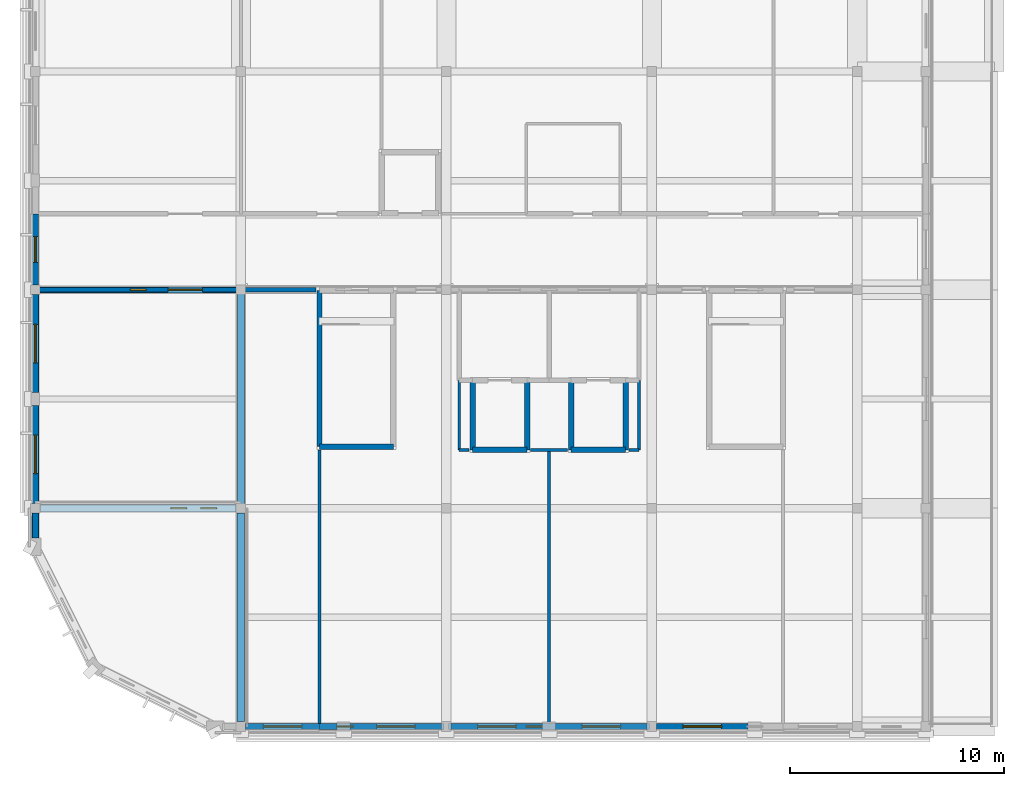
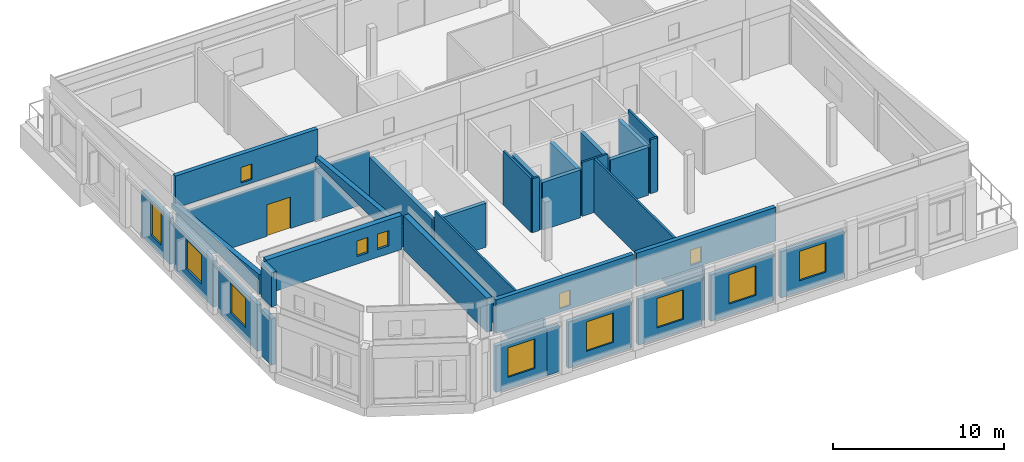
# One storey, part 3 of 8: 34 walls, 13 windows, 1 door, 14 openings.
"""IFC4 building model written with IfcOpenShell, lengths in metres."""

import ifcopenshell
import ifcopenshell.guid

model = None  # the IFC model being written
_history = None  # IfcOwnerHistory: only IFC2X3 demands one
_inside = {}  # id of a spatial element -> (the spatial element, [elements in it])
_under = {}  # id of a project, library or spatial element -> (it, [spatial elements below it])
_declared = {}  # id of a project -> (the project, [libraries it declares])
_typed = {}  # id of a type object -> (the type object, [elements of that type])
_made_of = {}  # id of a material, layer set ... -> (it, [elements and type objects made of it])


def new_model(schema):
    """Start an empty IFC model of exactly this schema.

    Asked for "IFC4X3", IfcOpenShell would pick the latest addendum, in which some entities
    have other attributes; the version numbers below select the first issue.
    IFC2X3 requires an IfcOwnerHistory on every rooted entity: one is made here for all.
    """
    global model, _history
    if schema == "IFC4X3":
        model = ifcopenshell.file(schema_version=(4, 3, 0, 0))
    else:
        model = ifcopenshell.file(schema=schema)
    _inside.clear()
    _under.clear()
    _declared.clear()
    _typed.clear()
    _made_of.clear()
    _history = None
    if model.schema == "IFC2X3":
        org = make("IfcOrganization", Name="unknown")
        user = make(
            "IfcPersonAndOrganization",
            ThePerson=make("IfcPerson", FamilyName="unknown"),
            TheOrganization=org,
        )
        app = make(
            "IfcApplication",
            ApplicationDeveloper=org,
            Version="unknown",
            ApplicationFullName="unknown",
            ApplicationIdentifier="unknown",
        )
        _history = make(
            "IfcOwnerHistory",
            OwningUser=user,
            OwningApplication=app,
            ChangeAction="ADDED",
            CreationDate=0,
        )
    return model


def make(cls, **values):
    """One entity of the class cls with the attributes given. An attribute that is None is left unset."""
    return model.create_entity(
        cls, **{name: value for name, value in values.items() if value is not None}
    )


def rooted(cls, **values):
    """An entity with a GlobalId (a new one), such as an element, a storey or a relation."""
    return make(cls, GlobalId=ifcopenshell.guid.new(), OwnerHistory=_history, **values)


def si_unit(unit_type, name, prefix=None):
    """IfcSIUnit, for example si_unit("LENGTHUNIT", "METRE", prefix="MILLI")."""
    return make("IfcSIUnit", UnitType=unit_type, Prefix=prefix, Name=name)


def assignment(units):
    """IfcUnitAssignment: the units of a project."""
    return None if units is None else make("IfcUnitAssignment", Units=units)


def point(xyz):
    """IfcCartesianPoint."""
    return None if xyz is None else make("IfcCartesianPoint", Coordinates=xyz)


def direction(xyz):
    """IfcDirection."""
    return None if xyz is None else make("IfcDirection", DirectionRatios=xyz)


def frame(location, z_axis=None, x_axis=None):
    """IfcAxis2Placement3D, a coordinate frame: its origin and axes. An axis left out is left unset."""
    return make(
        "IfcAxis2Placement3D",
        Location=point(location),
        Axis=direction(z_axis),
        RefDirection=direction(x_axis),
    )


def frame_2d(location, x_axis=None):
    """IfcAxis2Placement2D, a coordinate frame in the plane: its origin and x axis."""
    return make(
        "IfcAxis2Placement2D", Location=point(location), RefDirection=direction(x_axis)
    )


def origin():
    """The frame at (0, 0, 0) with its axes left unset."""
    return frame((0.0, 0.0, 0.0))


def place(relative_to, where):
    """IfcLocalPlacement: puts the frame where relative to a parent placement (None: the world)."""
    return make(
        "IfcLocalPlacement", PlacementRelTo=relative_to, RelativePlacement=where
    )


def context(
    kind, dimensions, precision=None, world=None, true_north=None, identifier=None
):
    """IfcGeometricRepresentationContext, for example the 3D "Model" context."""
    return make(
        "IfcGeometricRepresentationContext",
        ContextIdentifier=identifier,
        ContextType=kind,
        CoordinateSpaceDimension=dimensions,
        Precision=precision,
        WorldCoordinateSystem=world,
        TrueNorth=true_north,
    )


def subcontext(parent, identifier, kind, view, scale=None):
    """IfcGeometricRepresentationSubContext, for example "Body" below "Model"."""
    return make(
        "IfcGeometricRepresentationSubContext",
        ContextIdentifier=identifier,
        ContextType=kind,
        ParentContext=parent,
        TargetScale=scale,
        TargetView=view,
    )


def project(units=None, contexts=None):
    """IfcProject with its units and contexts."""
    return rooted(
        "IfcProject",
        Name="project",
        RepresentationContexts=contexts,
        UnitsInContext=assignment(units),
    )


def spatial(cls, under=None, at=None, **own):
    """A site, building, storey or space (cls), placed at a placement, below another one or the project."""
    s = rooted(cls, ObjectPlacement=at, **own)
    if under is not None:
        _under.setdefault(under.id(), (under, []))[1].append(s)
    return s


def polyline(points):
    """IfcPolyline through the points."""
    return make("IfcPolyline", Points=[point(p) for p in points])


def profile(cls, at=None, kind="AREA", **sizes):
    """A parametric profile (cls). Its sizes go by their IFC names, for example OverallWidth=200.0."""
    return make(cls, ProfileType=kind, Position=at, **sizes)


def rectangle(**sizes):
    """IfcRectangleProfileDef."""
    return profile("IfcRectangleProfileDef", **sizes)


def outline(outer, holes=None, kind="AREA"):
    """IfcArbitraryClosedProfileDef: a profile drawn as a closed curve; with holes, ...WithVoids."""
    if holes is None:
        return make("IfcArbitraryClosedProfileDef", ProfileType=kind, OuterCurve=outer)
    return make(
        "IfcArbitraryProfileDefWithVoids",
        ProfileType=kind,
        OuterCurve=outer,
        InnerCurves=holes,
    )


def extrude(swept, where, along, depth):
    """IfcExtrudedAreaSolid: the profile swept, set in the frame where, extruded along a direction by depth."""
    return make(
        "IfcExtrudedAreaSolid",
        SweptArea=swept,
        Position=where,
        ExtrudedDirection=direction(along),
        Depth=depth,
    )


def shape(context_of_items, identifier, shape_type, items):
    """IfcShapeRepresentation: the items that make up one representation, for example the "Body"."""
    return make(
        "IfcShapeRepresentation",
        ContextOfItems=context_of_items,
        RepresentationIdentifier=identifier,
        RepresentationType=shape_type,
        Items=items,
    )


def material(Name=None, Category=None):
    """IfcMaterial."""
    return make("IfcMaterial", Name=Name, Category=Category)


def layer(
    of_material, thickness, ventilated=None, Name=None, Category=None, Priority=None
):
    """IfcMaterialLayer: one layer of a wall or slab, of a material (None: an air gap)."""
    return make(
        "IfcMaterialLayer",
        Material=of_material,
        LayerThickness=thickness,
        IsVentilated=ventilated,
        Name=Name,
        Category=Category,
        Priority=Priority,
    )


def layer_set(layers, Name=None):
    """IfcMaterialLayerSet."""
    return make("IfcMaterialLayerSet", MaterialLayers=layers, LayerSetName=Name)


def made_of(thing, what):
    """Note that an element or type object is made of a material, layer set ...; save() writes the relation."""
    if what is not None:
        _made_of.setdefault(what.id(), (what, []))[1].append(thing)
    return thing


def type_object(cls, material=None, **own):
    """A type object (cls), such as IfcWallType, which elements share."""
    return made_of(rooted(cls, **own), material)


def element(
    cls,
    number,
    at=None,
    inside=None,
    cuts=None,
    type_object=None,
    material=None,
    context=None,
    identifier="Body",
    shape_type=None,
    held_by="IfcProductDefinitionShape",
    body=None,
    shapes=None,
    **own,
):
    """One element of the class cls, such as IfcWall. Its Tag is "e" and its number.

    at: its placement. inside: the storey or other place that contains it. cuts: it is an
    opening in that element (IfcRelVoidsElement). A single representation is given by context,
    identifier, shape_type and body (its items); several are given by shapes. held_by: the class
    of the entity that holds the representations. save() writes the other relations.
    """
    e = rooted(cls, Tag="e%d" % number, ObjectPlacement=at, **own)
    if body is not None:
        shapes = [shape(context, identifier, shape_type, body)]
    if shapes is not None:
        e.Representation = make(held_by, Representations=shapes)
    if inside is not None:
        _inside.setdefault(inside.id(), (inside, []))[1].append(e)
    if cuts is not None:
        rooted(
            "IfcRelVoidsElement", RelatingBuildingElement=cuts, RelatedOpeningElement=e
        )
    if type_object is not None:
        _typed.setdefault(type_object.id(), (type_object, []))[1].append(e)
    return made_of(e, material)


def fill(opening, filler):
    """IfcRelFillsElement: the door or window that sits in an opening."""
    return rooted(
        "IfcRelFillsElement",
        RelatingOpeningElement=opening,
        RelatedBuildingElement=filler,
    )


def aggregate(whole, parts):
    """IfcRelAggregates: a whole, such as a stair, and the parts it consists of."""
    return rooted("IfcRelAggregates", RelatingObject=whole, RelatedObjects=parts)


def save(model, path):
    """Write the relations noted so far, then the file.

    IfcRelAggregates (storeys below a building ...), IfcRelContainedInSpatialStructure (elements
    in a storey), IfcRelDefinesByType, IfcRelAssociatesMaterial and IfcRelDeclares: one each for
    every whole, place, type object, material and project.
    """
    for whole, parts in _under.values():
        aggregate(whole, parts)
    for where, things in _inside.values():
        rooted(
            "IfcRelContainedInSpatialStructure",
            RelatedElements=things,
            RelatingStructure=where,
        )
    for kind, things in _typed.values():
        rooted("IfcRelDefinesByType", RelatedObjects=things, RelatingType=kind)
    for what, things in _made_of.values():
        rooted("IfcRelAssociatesMaterial", RelatedObjects=things, RelatingMaterial=what)
    for by, libraries in _declared.values():
        rooted("IfcRelDeclares", RelatingContext=by, RelatedDefinitions=libraries)
    model.write(path)


model = new_model("IFC4")

# Units and contexts
model_context = context("Model", 3, precision=1e-05, world=origin(), true_north=direction((0.0, 1.0)))
body_context = subcontext(model_context, "Body", "Model", "MODEL_VIEW")
ifc_project = project(units=[si_unit("LENGTHUNIT", "METRE"), si_unit("AREAUNIT", "SQUARE_METRE"), si_unit("VOLUMEUNIT", "CUBIC_METRE"), si_unit("PLANEANGLEUNIT", "RADIAN"), si_unit("MASSUNIT", "GRAM", prefix="KILO")], contexts=[model_context])

# Site, building, storey
site_placement = place(None, origin())
site = spatial("IfcSite", under=ifc_project, at=site_placement, CompositionType="ELEMENT")
building_placement = place(site_placement, origin())
building = spatial("IfcBuilding", under=site, at=building_placement, Name="Vondelvale Polytechnic", CompositionType="ELEMENT")
storey_placement = place(building_placement, frame((0.0, 0.0, 30.60009765625)))
storey = spatial("IfcBuildingStorey", under=building, at=storey_placement, Name="L07", CompositionType="ELEMENT", Elevation=30.60009765625)

# Wall, opening, window
ifc_material_1 = material(Name="Amsterdam School iron-spot clinker clay brickwork", Category="masonry")
ifc_layer_1 = layer(ifc_material_1, 0.280029296875)
ifc_layer_set_1 = layer_set([ifc_layer_1], Name="WL-BRICK-280")
wall_type_1 = type_object("IfcWallType", Name="WL-BRICK-280", PredefinedType="SOLIDWALL", material=ifc_layer_set_1)
wall_1_placement = place(storey_placement, frame((13.27490234375, 0.0, 0.0), z_axis=(0.0, 0.0, 1.0), x_axis=(-1.0, 0.0, 0.0)))
wall_1 = element("IfcWall", 1, at=wall_1_placement, inside=storey, type_object=wall_type_1, Name="L07 exterior masonry facade wall", PredefinedType="SOLIDWALL", context=body_context, shape_type="SweptSolid", body=[
    extrude(rectangle(XDim=3.448974609375, YDim=0.280029296875, at=frame_2d((1.724609375, 0.0))), origin(), (0.0, 0.0, 1.0), 3.2998046875),
])
opening_1_placement = place(wall_1_placement, frame((0.824462890625, 0.0, 0.800048828125)))
opening_1 = element("IfcOpeningElement", 2, at=opening_1_placement, cuts=wall_1, Name="Opening WN-0294", PredefinedType="OPENING", context=body_context, shape_type="SweptSolid", body=[
    extrude(rectangle(XDim=1.800048828125, YDim=2.10009765625, at=frame_2d((0.89990234375, 1.050048828125))), frame((0.0, 0.14990234375, 0.0), z_axis=(0.0, -1.0, 0.0), x_axis=(1.0, 0.0, 0.0)), (0.0, 0.0, 1.0), 0.300048828125),
])
ifc_material_2 = material(Name="Double-glazed low-E insulated architectural glass", Category="glass")
window_type_1 = type_object("IfcWindowType", Name="WN-LAB-1800x2100", PartitioningType="SINGLE_PANEL", PredefinedType="WINDOW", material=ifc_material_2)
window_1_placement = place(opening_1_placement, origin())
window_1 = element("IfcWindow", 3, at=window_1_placement, inside=storey, type_object=window_type_1, Name="L07 double-glazed architectural window WN-0294", OverallHeight=2.10009765625, OverallWidth=1.800048828125, PartitioningType="SINGLE_PANEL", PredefinedType="WINDOW", context=body_context, shape_type="SweptSolid", body=[
    extrude(rectangle(XDim=1.800048828125, YDim=2.10009765625, at=frame_2d((0.89990234375, 1.050048828125))), frame((0.0, 0.030029296875, 0.0), z_axis=(0.0, -1.0, 0.0), x_axis=(1.0, 0.0, 0.0)), (0.0, 0.0, 1.0), 0.06005859375),
])
fill(opening_1, window_1)

# Wall
wall_2_placement = place(storey_placement, frame((14.09912109375, 0.0, 0.0), z_axis=(0.0, 0.0, 1.0), x_axis=(-1.0, 0.0, 0.0)))
element("IfcWall", 4, at=wall_2_placement, inside=storey, type_object=wall_type_1, Name="L07 exterior masonry facade wall", PredefinedType="SOLIDWALL", context=body_context, shape_type="SweptSolid", body=[
    extrude(rectangle(XDim=0.82421875, YDim=0.280029296875, at=frame_2d((0.412109375, 0.0))), origin(), (0.0, 0.0, 1.0), 3.2998046875),
])

# Wall, opening, window
wall_3_placement = place(storey_placement, frame((18.97412109375, 0.0, 0.0), z_axis=(0.0, 0.0, 1.0), x_axis=(-1.0, 0.0, 0.0)))
wall_3 = element("IfcWall", 5, at=wall_3_placement, inside=storey, type_object=wall_type_1, Name="L07 exterior masonry facade wall", PredefinedType="SOLIDWALL", context=body_context, shape_type="SweptSolid", body=[
    extrude(rectangle(XDim=4.273193359375, YDim=0.280029296875, at=frame_2d((2.13671875, 0.0))), origin(), (0.0, 0.0, 1.0), 3.2998046875),
])
opening_2_placement = place(wall_3_placement, frame((1.236572265625, 0.0, 0.800048828125)))
opening_2 = element("IfcOpeningElement", 6, at=opening_2_placement, cuts=wall_3, Name="Opening WN-0295", PredefinedType="OPENING", context=body_context, shape_type="SweptSolid", body=[
    extrude(rectangle(XDim=1.800048828125, YDim=2.10009765625, at=frame_2d((0.89990234375, 1.050048828125))), frame((0.0, 0.14990234375, 0.0), z_axis=(0.0, -1.0, 0.0), x_axis=(1.0, 0.0, 0.0)), (0.0, 0.0, 1.0), 0.300048828125),
])
window_2_placement = place(opening_2_placement, origin())
window_2 = element("IfcWindow", 7, at=window_2_placement, inside=storey, type_object=window_type_1, Name="L07 double-glazed architectural window WN-0295", OverallHeight=2.10009765625, OverallWidth=1.800048828125, PartitioningType="SINGLE_PANEL", PredefinedType="WINDOW", context=body_context, shape_type="SweptSolid", body=[
    extrude(rectangle(XDim=1.800048828125, YDim=2.10009765625, at=frame_2d((0.89990234375, 1.050048828125))), frame((0.0, 0.030029296875, 0.0), z_axis=(0.0, -1.0, 0.0), x_axis=(1.0, 0.0, 0.0)), (0.0, 0.0, 1.0), 0.06005859375),
])
fill(opening_2, window_2)

wall_4_placement = place(storey_placement, frame((23.698974609375, 0.0, 0.0), z_axis=(0.0, 0.0, 1.0), x_axis=(-1.0, 0.0, 0.0)))
wall_4 = element("IfcWall", 8, at=wall_4_placement, inside=storey, type_object=wall_type_1, Name="L07 exterior masonry facade wall", PredefinedType="SOLIDWALL", context=body_context, shape_type="SweptSolid", body=[
    extrude(rectangle(XDim=4.27294921875, YDim=0.280029296875, at=frame_2d((2.136474609375, 0.0))), origin(), (0.0, 0.0, 1.0), 3.2998046875),
])
opening_3_placement = place(wall_4_placement, frame((1.236572265625, 0.0, 0.800048828125)))
opening_3 = element("IfcOpeningElement", 9, at=opening_3_placement, cuts=wall_4, Name="Opening WN-0296", PredefinedType="OPENING", context=body_context, shape_type="SweptSolid", body=[
    extrude(rectangle(XDim=1.800048828125, YDim=2.10009765625, at=frame_2d((0.89990234375, 1.050048828125))), frame((0.0, 0.14990234375, 0.0), z_axis=(0.0, -1.0, 0.0), x_axis=(1.0, 0.0, 0.0)), (0.0, 0.0, 1.0), 0.300048828125),
])
window_3_placement = place(opening_3_placement, origin())
window_3 = element("IfcWindow", 10, at=window_3_placement, inside=storey, type_object=window_type_1, Name="L07 double-glazed architectural window WN-0296", OverallHeight=2.10009765625, OverallWidth=1.800048828125, PartitioningType="SINGLE_PANEL", PredefinedType="WINDOW", context=body_context, shape_type="SweptSolid", body=[
    extrude(rectangle(XDim=1.800048828125, YDim=2.10009765625, at=frame_2d((0.89990234375, 1.050048828125))), frame((0.0, 0.030029296875, 0.0), z_axis=(0.0, -1.0, 0.0), x_axis=(1.0, 0.0, 0.0)), (0.0, 0.0, 1.0), 0.06005859375),
])
fill(opening_3, window_3)

wall_5_placement = place(storey_placement, frame((28.573974609375, 0.0, 0.0), z_axis=(0.0, 0.0, 1.0), x_axis=(-1.0, 0.0, 0.0)))
wall_5 = element("IfcWall", 11, at=wall_5_placement, inside=storey, type_object=wall_type_1, Name="L07 exterior masonry facade wall", PredefinedType="SOLIDWALL", context=body_context, shape_type="SweptSolid", body=[
    extrude(rectangle(XDim=4.27294921875, YDim=0.280029296875, at=frame_2d((2.136474609375, 0.0))), origin(), (0.0, 0.0, 1.0), 3.2998046875),
])
opening_4_placement = place(wall_5_placement, frame((1.236572265625, 0.0, 0.800048828125)))
opening_4 = element("IfcOpeningElement", 12, at=opening_4_placement, cuts=wall_5, Name="Opening WN-0297", PredefinedType="OPENING", context=body_context, shape_type="SweptSolid", body=[
    extrude(rectangle(XDim=1.800048828125, YDim=2.10009765625, at=frame_2d((0.89990234375, 1.050048828125))), frame((0.0, 0.14990234375, 0.0), z_axis=(0.0, -1.0, 0.0), x_axis=(1.0, 0.0, 0.0)), (0.0, 0.0, 1.0), 0.300048828125),
])
window_4_placement = place(opening_4_placement, origin())
window_4 = element("IfcWindow", 13, at=window_4_placement, inside=storey, type_object=window_type_1, Name="L07 double-glazed architectural window WN-0297", OverallHeight=2.10009765625, OverallWidth=1.800048828125, PartitioningType="SINGLE_PANEL", PredefinedType="WINDOW", context=body_context, shape_type="SweptSolid", body=[
    extrude(rectangle(XDim=1.800048828125, YDim=2.10009765625, at=frame_2d((0.89990234375, 1.050048828125))), frame((0.0, 0.030029296875, 0.0), z_axis=(0.0, -1.0, 0.0), x_axis=(1.0, 0.0, 0.0)), (0.0, 0.0, 1.0), 0.06005859375),
])
fill(opening_4, window_4)

wall_6_placement = place(storey_placement, frame((33.299072265625, 0.0, 0.0), z_axis=(0.0, 0.0, 1.0), x_axis=(-1.0, 0.0, 0.0)))
wall_6 = element("IfcWall", 14, at=wall_6_placement, inside=storey, type_object=wall_type_1, Name="L07 exterior masonry facade wall", PredefinedType="SOLIDWALL", context=body_context, shape_type="SweptSolid", body=[
    extrude(rectangle(XDim=4.273193359375, YDim=0.280029296875, at=frame_2d((2.13671875, 0.0))), origin(), (0.0, 0.0, 1.0), 3.2998046875),
])
opening_5_placement = place(wall_6_placement, frame((1.236572265625, 0.0, 0.800048828125)))
opening_5 = element("IfcOpeningElement", 15, at=opening_5_placement, cuts=wall_6, Name="Opening WN-0298", PredefinedType="OPENING", context=body_context, shape_type="SweptSolid", body=[
    extrude(rectangle(XDim=1.800048828125, YDim=2.10009765625, at=frame_2d((0.89990234375, 1.050048828125))), frame((0.0, 0.14990234375, 0.0), z_axis=(0.0, -1.0, 0.0), x_axis=(1.0, 0.0, 0.0)), (0.0, 0.0, 1.0), 0.300048828125),
])
window_5_placement = place(opening_5_placement, origin())
window_5 = element("IfcWindow", 16, at=window_5_placement, inside=storey, type_object=window_type_1, Name="L07 double-glazed architectural window WN-0298", OverallHeight=2.10009765625, OverallWidth=1.800048828125, PartitioningType="SINGLE_PANEL", PredefinedType="WINDOW", context=body_context, shape_type="SweptSolid", body=[
    extrude(rectangle(XDim=1.800048828125, YDim=2.10009765625, at=frame_2d((0.89990234375, 1.050048828125))), frame((0.0, 0.030029296875, 0.0), z_axis=(0.0, -1.0, 0.0), x_axis=(1.0, 0.0, 0.0)), (0.0, 0.0, 1.0), 0.06005859375),
])
fill(opening_5, window_5)

# Wall
wall_7_placement = place(storey_placement, frame((0.0, 8.801025390625, 0.0), z_axis=(0.0, 0.0, 1.0), x_axis=(0.0, 1.0, 0.0)))
element("IfcWall", 17, at=wall_7_placement, inside=storey, type_object=wall_type_1, Name="L07 exterior masonry facade wall", PredefinedType="SOLIDWALL", context=body_context, shape_type="SweptSolid", body=[
    extrude(rectangle(XDim=1.173095703125, YDim=0.280029296875, at=frame_2d((0.58642578125, 0.0))), origin(), (0.0, 0.0, 1.0), 3.2998046875),
])

# Wall, opening, window
wall_8_placement = place(storey_placement, frame((0.0, 10.426025390625, 0.0), z_axis=(0.0, 0.0, 1.0), x_axis=(0.0, 1.0, 0.0)))
wall_8 = element("IfcWall", 18, at=wall_8_placement, inside=storey, type_object=wall_type_1, Name="L07 exterior masonry facade wall", PredefinedType="SOLIDWALL", context=body_context, shape_type="SweptSolid", body=[
    extrude(rectangle(XDim=4.572998046875, YDim=0.280029296875, at=frame_2d((2.28662109375, 0.0))), origin(), (0.0, 0.0, 1.0), 3.2998046875),
])
opening_6_placement = place(wall_8_placement, frame((1.386474609375, 0.0, 0.85009765625)))
opening_6 = element("IfcOpeningElement", 19, at=opening_6_placement, cuts=wall_8, Name="Opening WN-0301", PredefinedType="OPENING", context=body_context, shape_type="SweptSolid", body=[
    extrude(rectangle(XDim=1.800048828125, YDim=2.10009765625, at=frame_2d((0.89990234375, 1.050048828125))), frame((0.0, 0.14990234375, 0.0), z_axis=(0.0, -1.0, 0.0), x_axis=(1.0, 0.0, 0.0)), (0.0, 0.0, 1.0), 0.300048828125),
])
window_6_placement = place(opening_6_placement, origin())
window_6 = element("IfcWindow", 20, at=window_6_placement, inside=storey, type_object=window_type_1, Name="L07 double-glazed architectural window WN-0301", OverallHeight=2.10009765625, OverallWidth=1.800048828125, PartitioningType="SINGLE_PANEL", PredefinedType="WINDOW", context=body_context, shape_type="SweptSolid", body=[
    extrude(rectangle(XDim=1.800048828125, YDim=2.10009765625, at=frame_2d((0.89990234375, 1.050048828125))), frame((0.0, 0.030029296875, 0.0), z_axis=(0.0, -1.0, 0.0), x_axis=(1.0, 0.0, 0.0)), (0.0, 0.0, 1.0), 0.06005859375),
])
fill(opening_6, window_6)

wall_9_placement = place(storey_placement, frame((0.0, 15.60107421875, 0.0), z_axis=(0.0, 0.0, 1.0), x_axis=(0.0, 1.0, 0.0)))
wall_9 = element("IfcWall", 21, at=wall_9_placement, inside=storey, type_object=wall_type_1, Name="L07 exterior masonry facade wall", PredefinedType="SOLIDWALL", context=body_context, shape_type="SweptSolid", body=[
    extrude(rectangle(XDim=4.572998046875, YDim=0.280029296875, at=frame_2d((2.28662109375, 0.0))), origin(), (0.0, 0.0, 1.0), 3.2998046875),
])
opening_7_placement = place(wall_9_placement, frame((1.386474609375, 0.0, 0.85009765625)))
opening_7 = element("IfcOpeningElement", 22, at=opening_7_placement, cuts=wall_9, Name="Opening WN-0302", PredefinedType="OPENING", context=body_context, shape_type="SweptSolid", body=[
    extrude(rectangle(XDim=1.800048828125, YDim=2.10009765625, at=frame_2d((0.89990234375, 1.050048828125))), frame((0.0, 0.14990234375, 0.0), z_axis=(0.0, -1.0, 0.0), x_axis=(1.0, 0.0, 0.0)), (0.0, 0.0, 1.0), 0.300048828125),
])
window_7_placement = place(opening_7_placement, origin())
window_7 = element("IfcWindow", 23, at=window_7_placement, inside=storey, type_object=window_type_1, Name="L07 double-glazed architectural window WN-0302", OverallHeight=2.10009765625, OverallWidth=1.800048828125, PartitioningType="SINGLE_PANEL", PredefinedType="WINDOW", context=body_context, shape_type="SweptSolid", body=[
    extrude(rectangle(XDim=1.800048828125, YDim=2.10009765625, at=frame_2d((0.89990234375, 1.050048828125))), frame((0.0, 0.030029296875, 0.0), z_axis=(0.0, -1.0, 0.0), x_axis=(1.0, 0.0, 0.0)), (0.0, 0.0, 1.0), 0.06005859375),
])
fill(opening_7, window_7)

wall_10_placement = place(storey_placement, frame((0.0, 20.6259765625, 0.0), z_axis=(0.0, 0.0, 1.0), x_axis=(0.0, 1.0, 0.0)))
wall_10 = element("IfcWall", 24, at=wall_10_placement, inside=storey, type_object=wall_type_1, Name="L07 exterior masonry facade wall", PredefinedType="SOLIDWALL", context=body_context, shape_type="SweptSolid", body=[
    extrude(rectangle(XDim=3.323974609375, YDim=0.280029296875, at=frame_2d((1.662109375, 0.0))), origin(), (0.0, 0.0, 1.0), 3.2998046875),
])
opening_8_placement = place(wall_10_placement, frame((1.06201171875, 0.0, 0.75)))
opening_8 = element("IfcOpeningElement", 25, at=opening_8_placement, cuts=wall_10, Name="Opening WN-0303", PredefinedType="OPENING", context=body_context, shape_type="SweptSolid", body=[
    extrude(rectangle(XDim=1.199951171875, YDim=2.39990234375, at=frame_2d((0.60009765625, 1.199951171875))), frame((0.0, 0.14990234375, 0.0), z_axis=(0.0, -1.0, 0.0), x_axis=(1.0, 0.0, 0.0)), (0.0, 0.0, 1.0), 0.300048828125),
])
window_type_2 = type_object("IfcWindowType", Name="WN-ARCH-1200x2400", PartitioningType="SINGLE_PANEL", PredefinedType="WINDOW", material=ifc_material_2)
window_8_placement = place(opening_8_placement, origin())
window_8 = element("IfcWindow", 26, at=window_8_placement, inside=storey, type_object=window_type_2, Name="L07 double-glazed architectural window WN-0303", OverallHeight=2.39990234375, OverallWidth=1.199951171875, PartitioningType="SINGLE_PANEL", PredefinedType="WINDOW", context=body_context, shape_type="SweptSolid", body=[
    extrude(rectangle(XDim=1.199951171875, YDim=2.39990234375, at=frame_2d((0.60009765625, 1.199951171875))), frame((0.0, 0.030029296875, 0.0), z_axis=(0.0, -1.0, 0.0), x_axis=(1.0, 0.0, 0.0)), (0.0, 0.0, 1.0), 0.06005859375),
])
fill(opening_8, window_8)

wall_11_placement = place(storey_placement, frame((19.09912109375, 0.0, 4.199951171875), z_axis=(0.0, 0.0, 1.0), x_axis=(-1.0, 0.0, 0.0)))
wall_11 = element("IfcWall", 27, at=wall_11_placement, inside=storey, type_object=wall_type_1, Name="L07 exterior masonry facade wall", PredefinedType="SOLIDWALL", context=body_context, shape_type="SweptSolid", body=[
    extrude(rectangle(XDim=9.273193359375, YDim=0.280029296875, at=frame_2d((4.63671875, 0.0))), origin(), (0.0, 0.0, 1.0), 2.396484375),
])
opening_9_placement = place(wall_11_placement, frame((4.261474609375, 0.0, 0.25)))
opening_9 = element("IfcOpeningElement", 28, at=opening_9_placement, cuts=wall_11, Name="Opening WN-0319", PredefinedType="OPENING", context=body_context, shape_type="SweptSolid", body=[
    extrude(rectangle(XDim=0.75, YDim=1.10009765625, at=frame_2d((0.375, 0.550048828125))), frame((0.0, 0.14990234375, 0.0), z_axis=(0.0, -1.0, 0.0), x_axis=(1.0, 0.0, 0.0)), (0.0, 0.0, 1.0), 0.300048828125),
])
window_type_3 = type_object("IfcWindowType", Name="WN-WC-0750x1100", PartitioningType="SINGLE_PANEL", PredefinedType="WINDOW", material=ifc_material_2)
window_9_placement = place(opening_9_placement, origin())
window_9 = element("IfcWindow", 29, at=window_9_placement, inside=storey, type_object=window_type_3, Name="L07 double-glazed architectural window WN-0319", OverallHeight=1.10009765625, OverallWidth=0.75, PartitioningType="SINGLE_PANEL", PredefinedType="WINDOW", context=body_context, shape_type="SweptSolid", body=[
    extrude(rectangle(XDim=0.75, YDim=1.10009765625, at=frame_2d((0.375, 0.550048828125))), frame((0.0, 0.030029296875, 0.0), z_axis=(0.0, -1.0, 0.0), x_axis=(1.0, 0.0, 0.0)), (0.0, 0.0, 1.0), 0.06005859375),
])
fill(opening_9, window_9)

wall_12_placement = place(storey_placement, frame((28.698974609375, 0.0, 4.199951171875), z_axis=(0.0, 0.0, 1.0), x_axis=(-1.0, 0.0, 0.0)))
wall_12 = element("IfcWall", 30, at=wall_12_placement, inside=storey, type_object=wall_type_1, Name="L07 exterior masonry facade wall", PredefinedType="SOLIDWALL", context=body_context, shape_type="SweptSolid", body=[
    extrude(rectangle(XDim=9.39794921875, YDim=0.280029296875, at=frame_2d((4.698974609375, 0.0))), origin(), (0.0, 0.0, 1.0), 2.396484375),
])
opening_10_placement = place(wall_12_placement, frame((5.01904296875, 0.0, 0.25)))
opening_10 = element("IfcOpeningElement", 31, at=opening_10_placement, cuts=wall_12, Name="Opening WN-0320", PredefinedType="OPENING", context=body_context, shape_type="SweptSolid", body=[
    extrude(rectangle(XDim=0.75, YDim=1.10009765625, at=frame_2d((0.375, 0.550048828125))), frame((0.0, 0.14990234375, 0.0), z_axis=(0.0, -1.0, 0.0), x_axis=(1.0, 0.0, 0.0)), (0.0, 0.0, 1.0), 0.300048828125),
])
window_10_placement = place(opening_10_placement, origin())
window_10 = element("IfcWindow", 32, at=window_10_placement, inside=storey, type_object=window_type_3, Name="L07 double-glazed architectural window WN-0320", OverallHeight=1.10009765625, OverallWidth=0.75, PartitioningType="SINGLE_PANEL", PredefinedType="WINDOW", context=body_context, shape_type="SweptSolid", body=[
    extrude(rectangle(XDim=0.75, YDim=1.10009765625, at=frame_2d((0.375, 0.550048828125))), frame((0.0, 0.030029296875, 0.0), z_axis=(0.0, -1.0, 0.0), x_axis=(1.0, 0.0, 0.0)), (0.0, 0.0, 1.0), 0.06005859375),
])
fill(opening_10, window_10)

wall_13_placement = place(storey_placement, frame((9.60009765625, 20.39990234375, 4.199951171875), z_axis=(0.0, 0.0, 1.0), x_axis=(-1.0, 0.0, 0.0)))
wall_13 = element("IfcWall", 33, at=wall_13_placement, inside=storey, type_object=wall_type_1, Name="L07 exterior masonry facade wall", PredefinedType="SOLIDWALL", context=body_context, shape_type="SweptSolid", body=[
    extrude(rectangle(XDim=9.60009765625, YDim=0.280029296875, at=frame_2d((4.800048828125, 0.0))), origin(), (0.0, 0.0, 1.0), 2.278564453125),
])
opening_11_placement = place(wall_13_placement, frame((4.425048828125, 0.0, 0.25)))
opening_11 = element("IfcOpeningElement", 34, at=opening_11_placement, cuts=wall_13, Name="Opening WN-0322", PredefinedType="OPENING", context=body_context, shape_type="SweptSolid", body=[
    extrude(rectangle(XDim=0.75, YDim=1.10009765625, at=frame_2d((0.375, 0.550048828125))), frame((0.0, 0.14990234375, 0.0), z_axis=(0.0, -1.0, 0.0), x_axis=(1.0, 0.0, 0.0)), (0.0, 0.0, 1.0), 0.300048828125),
])
window_11_placement = place(opening_11_placement, origin())
window_11 = element("IfcWindow", 35, at=window_11_placement, inside=storey, type_object=window_type_3, Name="L07 double-glazed architectural window WN-0322", OverallHeight=1.10009765625, OverallWidth=0.75, PartitioningType="SINGLE_PANEL", PredefinedType="WINDOW", context=body_context, shape_type="SweptSolid", body=[
    extrude(rectangle(XDim=0.75, YDim=1.10009765625, at=frame_2d((0.375, 0.550048828125))), frame((0.0, 0.030029296875, 0.0), z_axis=(0.0, -1.0, 0.0), x_axis=(1.0, 0.0, 0.0)), (0.0, 0.0, 1.0), 0.06005859375),
])
fill(opening_11, window_11)

# Walls
ifc_layer_2 = layer(ifc_material_1, 0.320068359375)
ifc_layer_set_2 = layer_set([ifc_layer_2], Name="WL-BRICK-320")
wall_type_2 = type_object("IfcWallType", Name="WL-BRICK-320", PredefinedType="SOLIDWALL", material=ifc_layer_set_2)
wall_14_placement = place(storey_placement, frame((0.0, 10.199951171875, 4.199951171875), z_axis=(0.0, 0.0, 1.0), x_axis=(0.0, 1.0, 0.0)))
element("IfcWall", 36, at=wall_14_placement, inside=storey, type_object=wall_type_2, Name="Volume 2 West shoulder raking brick gable", PredefinedType="SOLIDWALL", context=body_context, shape_type="SweptSolid", body=[
    extrude(outline(polyline([(0.0, 0.0), (10.199951171875, 0.0), (10.199951171875, 0.329833984375), (0.0, 1.429931640625), (0.0, 0.0)])), frame((0.0, 0.16015625, 0.0), z_axis=(0.0, -1.0, 0.0), x_axis=(1.0, 0.0, 0.0)), (0.0, 0.0, 1.0), 0.320068359375),
])
wall_15_placement = place(storey_placement, frame((9.60009765625, 10.199951171875, 4.199951171875), z_axis=(0.0, 0.0, 1.0), x_axis=(0.0, 1.0, 0.0)))
element("IfcWall", 37, at=wall_15_placement, inside=storey, type_object=wall_type_2, Name="Roof studio raking brick gable 1-W", PredefinedType="SOLIDWALL", context=body_context, shape_type="SweptSolid", body=[
    extrude(outline(polyline([(0.0, 0.0), (10.199951171875, 0.0), (10.199951171875, 0.328857421875), (0.0, 1.36279296875), (0.0, 0.0)])), frame((0.0, 0.16015625, 0.0), z_axis=(0.0, -1.0, 0.0), x_axis=(1.0, 0.0, 0.0)), (0.0, 0.0, 1.0), 0.320068359375),
])
ifc_layer_3 = layer(ifc_material_1, 0.35009765625)
ifc_layer_set_3 = layer_set([ifc_layer_3], Name="WL-BRICK-350")
wall_type_3 = type_object("IfcWallType", Name="WL-BRICK-350", PredefinedType="SOLIDWALL", material=ifc_layer_set_3)
wall_16_placement = place(storey_placement, frame((9.60009765625, 9.97412109375, 4.199951171875), z_axis=(0.0, 0.0, 1.0), x_axis=(0.0, -1.0, 0.0)))
element("IfcWall", 38, at=wall_16_placement, inside=storey, type_object=wall_type_3, Name="L07 exterior masonry facade wall", PredefinedType="SOLIDWALL", context=body_context, shape_type="SweptSolid", body=[
    extrude(rectangle(XDim=9.748046875, YDim=0.35009765625, at=frame_2d((4.8740234375, 0.0))), origin(), (0.0, 0.0, 1.0), 2.4228515625),
])

# Wall, openings, windows
wall_17_placement = place(storey_placement, frame((0.22607421875, 10.199951171875, 4.199951171875), z_axis=(0.0, 0.0, 1.0), x_axis=(1.0, 0.0, 0.0)))
wall_17 = element("IfcWall", 39, at=wall_17_placement, inside=storey, type_object=wall_type_3, Name="L07 exterior masonry facade wall", PredefinedType="SOLIDWALL", context=body_context, shape_type="SweptSolid", body=[
    extrude(rectangle(XDim=9.14794921875, YDim=0.35009765625, at=frame_2d((4.573974609375, 0.0))), origin(), (0.0, 0.0, 1.0), 2.4228515625),
])
opening_12_placement = place(wall_17_placement, frame((7.498046875, 0.0, 0.550048828125)))
opening_12 = element("IfcOpeningElement", 40, at=opening_12_placement, cuts=wall_17, Name="Opening WN-0313", PredefinedType="OPENING", context=body_context, shape_type="SweptSolid", body=[
    extrude(rectangle(XDim=0.75, YDim=1.10009765625, at=frame_2d((0.375, 0.550048828125))), frame((0.0, 0.18505859375, 0.0), z_axis=(0.0, -1.0, 0.0), x_axis=(1.0, 0.0, 0.0)), (0.0, 0.0, 1.0), 0.3701171875),
])
opening_13_placement = place(wall_17_placement, frame((6.097900390625, 0.0, 0.550048828125)))
opening_13 = element("IfcOpeningElement", 41, at=opening_13_placement, cuts=wall_17, Name="Opening WN-0314", PredefinedType="OPENING", context=body_context, shape_type="SweptSolid", body=[
    extrude(rectangle(XDim=0.75, YDim=1.10009765625, at=frame_2d((0.375, 0.550048828125))), frame((0.0, 0.18505859375, 0.0), z_axis=(0.0, -1.0, 0.0), x_axis=(1.0, 0.0, 0.0)), (0.0, 0.0, 1.0), 0.3701171875),
])
window_12_placement = place(opening_12_placement, origin())
window_12 = element("IfcWindow", 42, at=window_12_placement, inside=storey, type_object=window_type_3, Name="L07 double-glazed architectural window WN-0313", OverallHeight=1.10009765625, OverallWidth=0.75, PartitioningType="SINGLE_PANEL", PredefinedType="WINDOW", context=body_context, shape_type="SweptSolid", body=[
    extrude(rectangle(XDim=0.75, YDim=1.10009765625, at=frame_2d((0.375, 0.550048828125))), frame((0.0, 0.030029296875, 0.0), z_axis=(0.0, -1.0, 0.0), x_axis=(1.0, 0.0, 0.0)), (0.0, 0.0, 1.0), 0.06005859375),
])
fill(opening_12, window_12)
window_13_placement = place(opening_13_placement, origin())
window_13 = element("IfcWindow", 43, at=window_13_placement, inside=storey, type_object=window_type_3, Name="L07 double-glazed architectural window WN-0314", OverallHeight=1.10009765625, OverallWidth=0.75, PartitioningType="SINGLE_PANEL", PredefinedType="WINDOW", context=body_context, shape_type="SweptSolid", body=[
    extrude(rectangle(XDim=0.75, YDim=1.10009765625, at=frame_2d((0.375, 0.550048828125))), frame((0.0, 0.030029296875, 0.0), z_axis=(0.0, -1.0, 0.0), x_axis=(1.0, 0.0, 0.0)), (0.0, 0.0, 1.0), 0.06005859375),
])
fill(opening_13, window_13)

# Walls
wall_18_placement = place(storey_placement, frame((0.0, 8.7509765625, 4.199951171875), z_axis=(0.0, 0.0, 1.0), x_axis=(0.0, 1.0, 0.0)))
element("IfcWall", 44, at=wall_18_placement, inside=storey, type_object=wall_type_3, Name="L07 exterior masonry facade wall", PredefinedType="SOLIDWALL", context=body_context, shape_type="SweptSolid", body=[
    extrude(rectangle(XDim=1.22314453125, YDim=0.35009765625, at=frame_2d((0.611572265625, 0.0))), origin(), (0.0, 0.0, 1.0), 2.4228515625),
])
ifc_material_3 = material(Name="Concrete N40 (f'c = 40 MPa)", Category="concrete")
ifc_layer_4 = layer(ifc_material_3, 0.25)
ifc_layer_set_4 = layer_set([ifc_layer_4], Name="WL-CORE-250")
wall_type_4 = type_object("IfcWallType", Name="WL-CORE-250", PredefinedType="SOLIDWALL", material=ifc_layer_set_4)
wall_19_placement = place(storey_placement, frame((13.27490234375, 20.375, 0.0), z_axis=(0.0, 0.0, 1.0), x_axis=(0.0, -1.0, 0.0)))
element("IfcWall", 45, at=wall_19_placement, inside=storey, type_object=wall_type_4, Name="L07 ST-03 reinforced concrete stair core wall", PredefinedType="SOLIDWALL", context=body_context, shape_type="SweptSolid", body=[
    extrude(rectangle(XDim=7.300048828125, YDim=0.25, at=frame_2d((3.64990234375, 0.0))), origin(), (0.0, 0.0, 1.0), 3.14990234375),
])
wall_20_placement = place(storey_placement, frame((13.27490234375, 13.074951171875, 0.0), z_axis=(0.0, 0.0, 1.0), x_axis=(1.0, 0.0, 0.0)))
element("IfcWall", 46, at=wall_20_placement, inside=storey, type_object=wall_type_4, Name="L07 ST-03 reinforced concrete stair core wall", PredefinedType="SOLIDWALL", context=body_context, shape_type="SweptSolid", body=[
    extrude(rectangle(XDim=3.4501953125, YDim=0.25, at=frame_2d((1.72509765625, 0.0))), origin(), (0.0, 0.0, 1.0), 3.14990234375),
])

# Wall, opening, door
ifc_material_4 = material(Name="Fire-rated double-layer plasterboard stud partition")
ifc_layer_5 = layer(ifc_material_4, 0.199951171875)
ifc_layer_set_5 = layer_set([ifc_layer_5], Name="WL-CORR-200")
wall_type_5 = type_object("IfcWallType", Name="WL-CORR-200", PredefinedType="PARTITIONING", material=ifc_layer_set_5)
wall_21_placement = place(storey_placement, frame((0.14990234375, 20.39990234375, 0.0), z_axis=(0.0, 0.0, 1.0), x_axis=(1.0, 0.0, 0.0)))
wall_21 = element("IfcWall", 47, at=wall_21_placement, inside=storey, type_object=wall_type_5, Name="L07 interior acoustic partition", PredefinedType="PARTITIONING", context=body_context, shape_type="SweptSolid", body=[
    extrude(rectangle(XDim=12.960205078125, YDim=0.199951171875, at=frame_2d((6.47998046875, 0.0))), origin(), (0.0, 0.0, 1.0), 3.6298828125),
])
opening_14_placement = place(wall_21_placement, frame((6.050048828125, 0.0, 0.0)))
opening_14 = element("IfcOpeningElement", 48, at=opening_14_placement, cuts=wall_21, Name="Opening ID-0204", PredefinedType="OPENING", context=body_context, shape_type="SweptSolid", body=[
    extrude(rectangle(XDim=1.60009765625, YDim=2.25, at=frame_2d((0.800048828125, 1.125))), frame((0.0, 0.10986328125, 0.0), z_axis=(0.0, -1.0, 0.0), x_axis=(1.0, 0.0, 0.0)), (0.0, 0.0, 1.0), 0.219970703125),
])
ifc_material_5 = material(Name="Fire-rated solid Tasmanian oak joinery")
door_type = type_object("IfcDoorType", Name="DR-LAB-1600x2250", OperationType="DOUBLE_DOOR_SINGLE_SWING", PredefinedType="DOOR", material=ifc_material_5)
door_placement = place(opening_14_placement, origin())
door = element("IfcDoor", 49, at=door_placement, inside=storey, type_object=door_type, Name="L07 interior room door ID-0204", OperationType="DOUBLE_DOOR_SINGLE_SWING", OverallHeight=2.25, OverallWidth=1.60009765625, PredefinedType="DOOR", context=body_context, shape_type="SweptSolid", body=[
    extrude(rectangle(XDim=1.60009765625, YDim=2.25, at=frame_2d((0.800048828125, 1.125))), frame((0.0, 0.02490234375, 0.0), z_axis=(0.0, -1.0, 0.0), x_axis=(1.0, 0.0, 0.0)), (0.0, 0.0, 1.0), 0.050048828125),
])
fill(opening_14, door)

# Walls
ifc_layer_6 = layer(ifc_material_4, 0.135009765625)
ifc_layer_set_6 = layer_set([ifc_layer_6], Name="WL-INT-135")
wall_type_6 = type_object("IfcWallType", Name="WL-INT-135", PredefinedType="PARTITIONING", material=ifc_layer_set_6)
wall_22_placement = place(storey_placement, frame((13.27490234375, 0.14990234375, 0.0), z_axis=(0.0, 0.0, 1.0), x_axis=(0.0, 1.0, 0.0)))
element("IfcWall", 50, at=wall_22_placement, inside=storey, type_object=wall_type_6, Name="L07 interior acoustic partition", PredefinedType="PARTITIONING", context=body_context, shape_type="SweptSolid", body=[
    extrude(rectangle(XDim=12.760009765625, YDim=0.135009765625, at=frame_2d((6.3798828125, 0.0))), origin(), (0.0, 0.0, 1.0), 3.849853515625),
])
wall_23_placement = place(storey_placement, frame((19.800048828125, 12.925048828125, 0.0), z_axis=(0.0, 0.0, 1.0), x_axis=(1.0, 0.0, 0.0)))
element("IfcWall", 51, at=wall_23_placement, inside=storey, type_object=wall_type_6, Name="L07 interior acoustic partition", PredefinedType="PARTITIONING", context=body_context, shape_type="SweptSolid", body=[
    extrude(rectangle(XDim=0.4599609375, YDim=0.135009765625, at=frame_2d((0.22998046875, 0.0))), origin(), (0.0, 0.0, 1.0), 3.849853515625),
])
wall_24_placement = place(storey_placement, frame((23.139892578125, 12.925048828125, 0.0), z_axis=(0.0, 0.0, 1.0), x_axis=(1.0, 0.0, 0.0)))
element("IfcWall", 52, at=wall_24_placement, inside=storey, type_object=wall_type_6, Name="L07 interior acoustic partition", PredefinedType="PARTITIONING", context=body_context, shape_type="SweptSolid", body=[
    extrude(rectangle(XDim=1.72021484375, YDim=0.135009765625, at=frame_2d((0.860107421875, 0.0))), origin(), (0.0, 0.0, 1.0), 3.849853515625),
])
wall_25_placement = place(storey_placement, frame((27.739990234375, 12.925048828125, 0.0), z_axis=(0.0, 0.0, 1.0), x_axis=(1.0, 0.0, 0.0)))
element("IfcWall", 53, at=wall_25_placement, inside=storey, type_object=wall_type_6, Name="L07 interior acoustic partition", PredefinedType="PARTITIONING", context=body_context, shape_type="SweptSolid", body=[
    extrude(rectangle(XDim=0.4599609375, YDim=0.135009765625, at=frame_2d((0.22998046875, 0.0))), origin(), (0.0, 0.0, 1.0), 3.849853515625),
])
wall_26_placement = place(storey_placement, frame((19.800048828125, 12.925048828125, 0.0), z_axis=(0.0, 0.0, 1.0), x_axis=(0.0, 1.0, 0.0)))
element("IfcWall", 54, at=wall_26_placement, inside=storey, type_object=wall_type_6, Name="L07 interior acoustic partition", PredefinedType="PARTITIONING", context=body_context, shape_type="SweptSolid", body=[
    extrude(rectangle(XDim=3.25, YDim=0.135009765625, at=frame_2d((1.625, 0.0))), origin(), (0.0, 0.0, 1.0), 3.849853515625),
])
wall_27_placement = place(storey_placement, frame((24.0, 0.14990234375, 0.0), z_axis=(0.0, 0.0, 1.0), x_axis=(0.0, 1.0, 0.0)))
element("IfcWall", 55, at=wall_27_placement, inside=storey, type_object=wall_type_6, Name="L07 interior acoustic partition", PredefinedType="PARTITIONING", context=body_context, shape_type="SweptSolid", body=[
    extrude(rectangle(XDim=12.775146484375, YDim=0.135009765625, at=frame_2d((6.3876953125, 0.0))), origin(), (0.0, 0.0, 1.0), 3.849853515625),
])
wall_28_placement = place(storey_placement, frame((28.199951171875, 12.925048828125, 0.0), z_axis=(0.0, 0.0, 1.0), x_axis=(0.0, 1.0, 0.0)))
element("IfcWall", 56, at=wall_28_placement, inside=storey, type_object=wall_type_6, Name="L07 interior acoustic partition", PredefinedType="PARTITIONING", context=body_context, shape_type="SweptSolid", body=[
    extrude(rectangle(XDim=3.25, YDim=0.135009765625, at=frame_2d((1.625, 0.0))), origin(), (0.0, 0.0, 1.0), 3.849853515625),
])
ifc_layer_7 = layer(ifc_material_3, 0.25)
ifc_layer_set_7 = layer_set([ifc_layer_7], Name="WL-SHAFT-250")
wall_type_7 = type_object("IfcWallType", Name="WL-SHAFT-250", PredefinedType="SOLIDWALL", material=ifc_layer_set_7)
wall_29_placement = place(storey_placement, frame((20.425048828125, 12.925048828125, 0.0), z_axis=(0.0, 0.0, 1.0), x_axis=(1.0, 0.0, 0.0)))
element("IfcWall", 57, at=wall_29_placement, inside=storey, type_object=wall_type_7, Name="L07 EL-01 lift shaft wall S", PredefinedType="SOLIDWALL", context=body_context, shape_type="SweptSolid", body=[
    extrude(rectangle(XDim=2.550048828125, YDim=0.25, at=frame_2d((1.27490234375, 0.0))), origin(), (0.0, 0.0, 1.0), 3.39990234375),
])
for number, where, z_axis, x_axis, name in (
    (58, (22.97509765625, 12.925048828125, 0.0), (0.0, 0.0, 1.0), (0.0, 1.0, 0.0), "L07 EL-01 lift shaft wall E"),
    (59, (20.425048828125, 16.175048828125, 0.0), (0.0, 0.0, 1.0), (0.0, -1.0, 0.0), "L07 EL-01 lift shaft wall W"),
):
    element("IfcWall", number, at=place(storey_placement, frame(where, z_axis=z_axis, x_axis=x_axis)), inside=storey, type_object=wall_type_7, Name=name, PredefinedType="SOLIDWALL", context=body_context, shape_type="SweptSolid", body=[
        extrude(rectangle(XDim=3.25, YDim=0.25, at=frame_2d((1.625, 0.0))), origin(), (0.0, 0.0, 1.0), 3.39990234375),
    ])
wall_30_placement = place(storey_placement, frame((25.02490234375, 12.925048828125, 0.0), z_axis=(0.0, 0.0, 1.0), x_axis=(1.0, 0.0, 0.0)))
element("IfcWall", 60, at=wall_30_placement, inside=storey, type_object=wall_type_7, Name="L07 EL-02 lift shaft wall S", PredefinedType="SOLIDWALL", context=body_context, shape_type="SweptSolid", body=[
    extrude(rectangle(XDim=2.550048828125, YDim=0.25, at=frame_2d((1.27490234375, 0.0))), origin(), (0.0, 0.0, 1.0), 3.39990234375),
])
for number, where, z_axis, x_axis, name in (
    (61, (27.574951171875, 12.925048828125, 0.0), (0.0, 0.0, 1.0), (0.0, 1.0, 0.0), "L07 EL-02 lift shaft wall E"),
    (62, (25.02490234375, 16.175048828125, 0.0), (0.0, 0.0, 1.0), (0.0, -1.0, 0.0), "L07 EL-02 lift shaft wall W"),
):
    element("IfcWall", number, at=place(storey_placement, frame(where, z_axis=z_axis, x_axis=x_axis)), inside=storey, type_object=wall_type_7, Name=name, PredefinedType="SOLIDWALL", context=body_context, shape_type="SweptSolid", body=[
        extrude(rectangle(XDim=3.25, YDim=0.25, at=frame_2d((1.625, 0.0))), origin(), (0.0, 0.0, 1.0), 3.39990234375),
    ])

save(model, "model.ifc")
